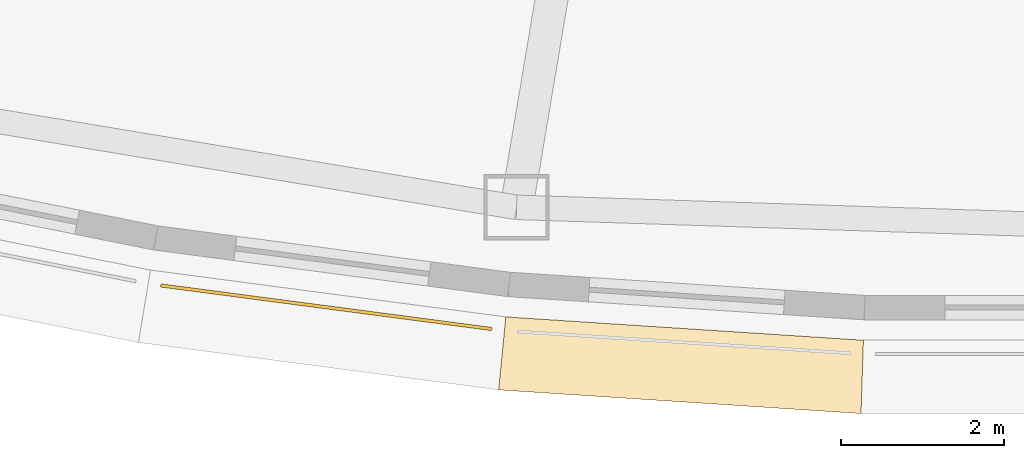
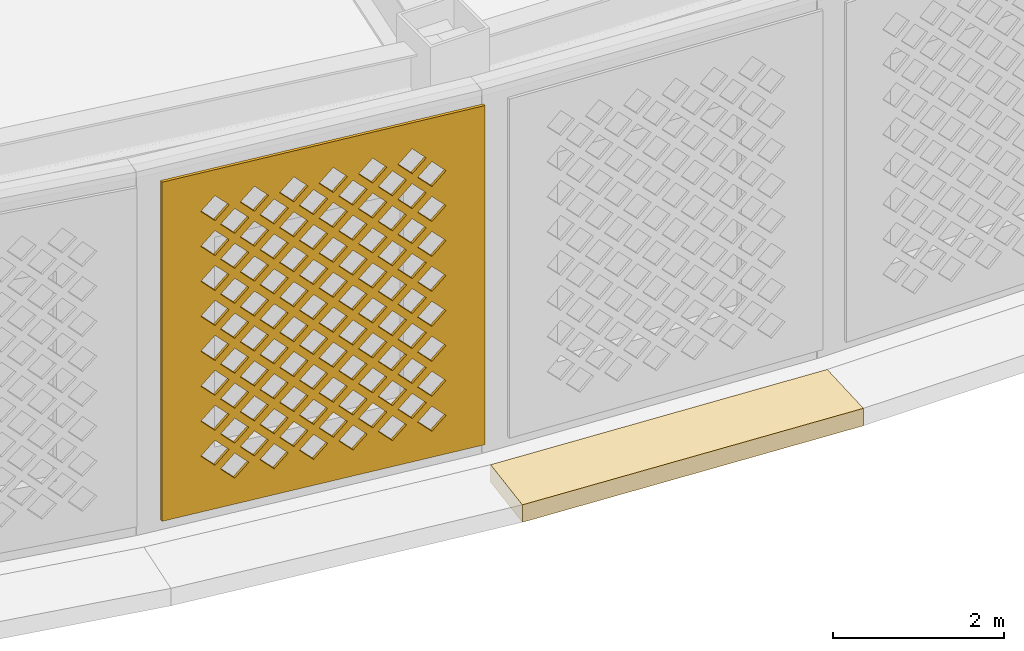
# One storey, part 45 of 63: 2 coverings.
"""IFC4 building model written with IfcOpenShell, lengths in metres."""

import ifcopenshell
import ifcopenshell.guid

model = None  # the IFC model being written
_history = None  # IfcOwnerHistory: only IFC2X3 demands one
_inside = {}  # id of a spatial element -> (the spatial element, [elements in it])
_under = {}  # id of a project, library or spatial element -> (it, [spatial elements below it])
_declared = {}  # id of a project -> (the project, [libraries it declares])
_typed = {}  # id of a type object -> (the type object, [elements of that type])
_made_of = {}  # id of a material, layer set ... -> (it, [elements and type objects made of it])


def new_model(schema):
    """Start an empty IFC model of exactly this schema.

    Asked for "IFC4X3", IfcOpenShell would pick the latest addendum, in which some entities
    have other attributes; the version numbers below select the first issue.
    IFC2X3 requires an IfcOwnerHistory on every rooted entity: one is made here for all.
    """
    global model, _history
    if schema == "IFC4X3":
        model = ifcopenshell.file(schema_version=(4, 3, 0, 0))
    else:
        model = ifcopenshell.file(schema=schema)
    _inside.clear()
    _under.clear()
    _declared.clear()
    _typed.clear()
    _made_of.clear()
    _history = None
    if model.schema == "IFC2X3":
        org = make("IfcOrganization", Name="unknown")
        user = make(
            "IfcPersonAndOrganization",
            ThePerson=make("IfcPerson", FamilyName="unknown"),
            TheOrganization=org,
        )
        app = make(
            "IfcApplication",
            ApplicationDeveloper=org,
            Version="unknown",
            ApplicationFullName="unknown",
            ApplicationIdentifier="unknown",
        )
        _history = make(
            "IfcOwnerHistory",
            OwningUser=user,
            OwningApplication=app,
            ChangeAction="ADDED",
            CreationDate=0,
        )
    return model


def make(cls, **values):
    """One entity of the class cls with the attributes given. An attribute that is None is left unset."""
    return model.create_entity(
        cls, **{name: value for name, value in values.items() if value is not None}
    )


def rooted(cls, **values):
    """An entity with a GlobalId (a new one), such as an element, a storey or a relation."""
    return make(cls, GlobalId=ifcopenshell.guid.new(), OwnerHistory=_history, **values)


def si_unit(unit_type, name, prefix=None):
    """IfcSIUnit, for example si_unit("LENGTHUNIT", "METRE", prefix="MILLI")."""
    return make("IfcSIUnit", UnitType=unit_type, Prefix=prefix, Name=name)


def assignment(units):
    """IfcUnitAssignment: the units of a project."""
    return None if units is None else make("IfcUnitAssignment", Units=units)


def point(xyz):
    """IfcCartesianPoint."""
    return None if xyz is None else make("IfcCartesianPoint", Coordinates=xyz)


def direction(xyz):
    """IfcDirection."""
    return None if xyz is None else make("IfcDirection", DirectionRatios=xyz)


def frame(location, z_axis=None, x_axis=None):
    """IfcAxis2Placement3D, a coordinate frame: its origin and axes. An axis left out is left unset."""
    return make(
        "IfcAxis2Placement3D",
        Location=point(location),
        Axis=direction(z_axis),
        RefDirection=direction(x_axis),
    )


def origin():
    """The frame at (0, 0, 0) with its axes left unset."""
    return frame((0.0, 0.0, 0.0))


def place(relative_to, where):
    """IfcLocalPlacement: puts the frame where relative to a parent placement (None: the world)."""
    return make(
        "IfcLocalPlacement", PlacementRelTo=relative_to, RelativePlacement=where
    )


def context(
    kind, dimensions, precision=None, world=None, true_north=None, identifier=None
):
    """IfcGeometricRepresentationContext, for example the 3D "Model" context."""
    return make(
        "IfcGeometricRepresentationContext",
        ContextIdentifier=identifier,
        ContextType=kind,
        CoordinateSpaceDimension=dimensions,
        Precision=precision,
        WorldCoordinateSystem=world,
        TrueNorth=true_north,
    )


def subcontext(parent, identifier, kind, view, scale=None):
    """IfcGeometricRepresentationSubContext, for example "Body" below "Model"."""
    return make(
        "IfcGeometricRepresentationSubContext",
        ContextIdentifier=identifier,
        ContextType=kind,
        ParentContext=parent,
        TargetScale=scale,
        TargetView=view,
    )


def project(units=None, contexts=None):
    """IfcProject with its units and contexts."""
    return rooted(
        "IfcProject",
        Name="project",
        RepresentationContexts=contexts,
        UnitsInContext=assignment(units),
    )


def spatial(cls, under=None, at=None, **own):
    """A site, building, storey or space (cls), placed at a placement, below another one or the project."""
    s = rooted(cls, ObjectPlacement=at, **own)
    if under is not None:
        _under.setdefault(under.id(), (under, []))[1].append(s)
    return s


def polyline(points):
    """IfcPolyline through the points."""
    return make("IfcPolyline", Points=[point(p) for p in points])


def outline(outer, holes=None, kind="AREA"):
    """IfcArbitraryClosedProfileDef: a profile drawn as a closed curve; with holes, ...WithVoids."""
    if holes is None:
        return make("IfcArbitraryClosedProfileDef", ProfileType=kind, OuterCurve=outer)
    return make(
        "IfcArbitraryProfileDefWithVoids",
        ProfileType=kind,
        OuterCurve=outer,
        InnerCurves=holes,
    )


def extrude(swept, where, along, depth):
    """IfcExtrudedAreaSolid: the profile swept, set in the frame where, extruded along a direction by depth."""
    return make(
        "IfcExtrudedAreaSolid",
        SweptArea=swept,
        Position=where,
        ExtrudedDirection=direction(along),
        Depth=depth,
    )


def shape(context_of_items, identifier, shape_type, items):
    """IfcShapeRepresentation: the items that make up one representation, for example the "Body"."""
    return make(
        "IfcShapeRepresentation",
        ContextOfItems=context_of_items,
        RepresentationIdentifier=identifier,
        RepresentationType=shape_type,
        Items=items,
    )


def material(Name=None, Category=None):
    """IfcMaterial."""
    return make("IfcMaterial", Name=Name, Category=Category)


def layer(
    of_material, thickness, ventilated=None, Name=None, Category=None, Priority=None
):
    """IfcMaterialLayer: one layer of a wall or slab, of a material (None: an air gap)."""
    return make(
        "IfcMaterialLayer",
        Material=of_material,
        LayerThickness=thickness,
        IsVentilated=ventilated,
        Name=Name,
        Category=Category,
        Priority=Priority,
    )


def layer_set(layers, Name=None):
    """IfcMaterialLayerSet."""
    return make("IfcMaterialLayerSet", MaterialLayers=layers, LayerSetName=Name)


def made_of(thing, what):
    """Note that an element or type object is made of a material, layer set ...; save() writes the relation."""
    if what is not None:
        _made_of.setdefault(what.id(), (what, []))[1].append(thing)
    return thing


def type_object(cls, material=None, **own):
    """A type object (cls), such as IfcWallType, which elements share."""
    return made_of(rooted(cls, **own), material)


def element(
    cls,
    number,
    at=None,
    inside=None,
    cuts=None,
    type_object=None,
    material=None,
    context=None,
    identifier="Body",
    shape_type=None,
    held_by="IfcProductDefinitionShape",
    body=None,
    shapes=None,
    **own,
):
    """One element of the class cls, such as IfcWall. Its Tag is "e" and its number.

    at: its placement. inside: the storey or other place that contains it. cuts: it is an
    opening in that element (IfcRelVoidsElement). A single representation is given by context,
    identifier, shape_type and body (its items); several are given by shapes. held_by: the class
    of the entity that holds the representations. save() writes the other relations.
    """
    e = rooted(cls, Tag="e%d" % number, ObjectPlacement=at, **own)
    if body is not None:
        shapes = [shape(context, identifier, shape_type, body)]
    if shapes is not None:
        e.Representation = make(held_by, Representations=shapes)
    if inside is not None:
        _inside.setdefault(inside.id(), (inside, []))[1].append(e)
    if cuts is not None:
        rooted(
            "IfcRelVoidsElement", RelatingBuildingElement=cuts, RelatedOpeningElement=e
        )
    if type_object is not None:
        _typed.setdefault(type_object.id(), (type_object, []))[1].append(e)
    return made_of(e, material)


def aggregate(whole, parts):
    """IfcRelAggregates: a whole, such as a stair, and the parts it consists of."""
    return rooted("IfcRelAggregates", RelatingObject=whole, RelatedObjects=parts)


def save(model, path):
    """Write the relations noted so far, then the file.

    IfcRelAggregates (storeys below a building ...), IfcRelContainedInSpatialStructure (elements
    in a storey), IfcRelDefinesByType, IfcRelAssociatesMaterial and IfcRelDeclares: one each for
    every whole, place, type object, material and project.
    """
    for whole, parts in _under.values():
        aggregate(whole, parts)
    for where, things in _inside.values():
        rooted(
            "IfcRelContainedInSpatialStructure",
            RelatedElements=things,
            RelatingStructure=where,
        )
    for kind, things in _typed.values():
        rooted("IfcRelDefinesByType", RelatedObjects=things, RelatingType=kind)
    for what, things in _made_of.values():
        rooted("IfcRelAssociatesMaterial", RelatedObjects=things, RelatingMaterial=what)
    for by, libraries in _declared.values():
        rooted("IfcRelDeclares", RelatingContext=by, RelatedDefinitions=libraries)
    model.write(path)


model = new_model("IFC4")

# Units and contexts
model_context = context("Model", 3, precision=1e-05, world=origin(), true_north=direction((0.0, 1.0)))
body_context = subcontext(model_context, "Body", "Model", "MODEL_VIEW")
ifc_project = project(units=[si_unit("LENGTHUNIT", "METRE"), si_unit("AREAUNIT", "SQUARE_METRE"), si_unit("VOLUMEUNIT", "CUBIC_METRE"), si_unit("PLANEANGLEUNIT", "RADIAN"), si_unit("MASSUNIT", "GRAM", prefix="KILO")], contexts=[model_context])

# Site, building, storey
site_placement = place(None, origin())
site = spatial("IfcSite", under=ifc_project, at=site_placement, CompositionType="ELEMENT")
building_placement = place(site_placement, origin())
building = spatial("IfcBuilding", under=site, at=building_placement, Name="Noorbagh Ring Tower", CompositionType="ELEMENT")
storey_placement = place(building_placement, frame((0.0, 0.0, 25.0)))
storey = spatial("IfcBuildingStorey", under=building, at=storey_placement, Name="L04", CompositionType="ELEMENT", Elevation=25.0)

# Coverings
ifc_material_1 = material(Name="Red sandstone eave", Category="masonry")
covering_type_1 = type_object("IfcCoveringType", Name="STY-CHHAJJA", PredefinedType="USERDEFINED", material=ifc_material_1)
covering_1_placement = place(storey_placement, frame((0.0, 0.0, -0.25)))
element("IfcCovering", 1, at=covering_1_placement, inside=storey, type_object=covering_type_1, Name="Chhajja eave", ObjectType="CHHAJJA", PredefinedType="USERDEFINED", context=body_context, shape_type="SweptSolid", body=[
    extrude(outline(polyline([(-6.586181640625, -39.677978515625), (-2.198486328125, -39.964111328125), (-2.227783203125, -40.8642578125), (-6.67431640625, -40.573974609375), (-6.586181640625, -39.677978515625)])), origin(), (0.0, 0.0, 1.0), 0.25),
])
ifc_material_2 = material(Name="Red sandstone jali", Category="masonry")
ifc_layer = layer(ifc_material_2, 0.0400390625)
ifc_layer_set = layer_set([ifc_layer], Name="Red sandstone jali")
covering_type_2 = type_object("IfcCoveringType", Name="STY-JALI", PredefinedType="USERDEFINED", material=ifc_layer_set)
covering_2_placement = place(storey_placement, frame((-10.82177734375, -39.311767578125, 0.449951171875), z_axis=(-0.130559329934, -0.991440498148, 0.0), x_axis=(0.991440498148, -0.130559329934, 0.0)))
element("IfcCovering", 2, at=covering_2_placement, inside=storey, type_object=covering_type_2, Name="Jali screen", ObjectType="SCREEN", PredefinedType="USERDEFINED", context=body_context, shape_type="SweptSolid", body=[
    extrude(outline(polyline([(0.0, 0.0), (4.09716796875, 0.0), (4.09716796875, 4.85009765625), (0.0, 4.85009765625), (0.0, 0.0)]), holes=[polyline([(0.743408203125, 0.550048828125), (0.923583984375, 0.3701171875), (1.103515625, 0.550048828125), (0.923583984375, 0.72998046875), (0.743408203125, 0.550048828125)]), polyline([(1.243408203125, 0.550048828125), (1.423583984375, 0.3701171875), (1.603515625, 0.550048828125), (1.423583984375, 0.72998046875), (1.243408203125, 0.550048828125)]), polyline([(1.743408203125, 0.550048828125), (1.923583984375, 0.3701171875), (2.103515625, 0.550048828125), (1.923583984375, 0.72998046875), (1.743408203125, 0.550048828125)]), polyline([(2.243408203125, 0.550048828125), (2.423583984375, 0.3701171875), (2.603515625, 0.550048828125), (2.423583984375, 0.72998046875), (2.243408203125, 0.550048828125)]), polyline([(2.743408203125, 0.550048828125), (2.923583984375, 0.3701171875), (3.103515625, 0.550048828125), (2.923583984375, 0.72998046875), (2.743408203125, 0.550048828125)]), polyline([(3.243408203125, 0.550048828125), (3.423583984375, 0.3701171875), (3.603515625, 0.550048828125), (3.423583984375, 0.72998046875), (3.243408203125, 0.550048828125)]), polyline([(0.493408203125, 0.800048828125), (0.673583984375, 0.6201171875), (0.853515625, 0.800048828125), (0.673583984375, 0.97998046875), (0.493408203125, 0.800048828125)]), polyline([(0.993408203125, 0.800048828125), (1.173583984375, 0.6201171875), (1.353515625, 0.800048828125), (1.173583984375, 0.97998046875), (0.993408203125, 0.800048828125)]), polyline([(1.493408203125, 0.800048828125), (1.673583984375, 0.6201171875), (1.853515625, 0.800048828125), (1.673583984375, 0.97998046875), (1.493408203125, 0.800048828125)]), polyline([(1.993408203125, 0.800048828125), (2.173583984375, 0.6201171875), (2.353515625, 0.800048828125), (2.173583984375, 0.97998046875), (1.993408203125, 0.800048828125)]), polyline([(2.493408203125, 0.800048828125), (2.673583984375, 0.6201171875), (2.853515625, 0.800048828125), (2.673583984375, 0.97998046875), (2.493408203125, 0.800048828125)]), polyline([(2.993408203125, 0.800048828125), (3.173583984375, 0.6201171875), (3.353515625, 0.800048828125), (3.173583984375, 0.97998046875), (2.993408203125, 0.800048828125)]), polyline([(0.743408203125, 1.050048828125), (0.923583984375, 0.8701171875), (1.103515625, 1.050048828125), (0.923583984375, 1.22998046875), (0.743408203125, 1.050048828125)]), polyline([(1.243408203125, 1.050048828125), (1.423583984375, 0.8701171875), (1.603515625, 1.050048828125), (1.423583984375, 1.22998046875), (1.243408203125, 1.050048828125)]), polyline([(1.743408203125, 1.050048828125), (1.923583984375, 0.8701171875), (2.103515625, 1.050048828125), (1.923583984375, 1.22998046875), (1.743408203125, 1.050048828125)]), polyline([(2.243408203125, 1.050048828125), (2.423583984375, 0.8701171875), (2.603515625, 1.050048828125), (2.423583984375, 1.22998046875), (2.243408203125, 1.050048828125)]), polyline([(2.743408203125, 1.050048828125), (2.923583984375, 0.8701171875), (3.103515625, 1.050048828125), (2.923583984375, 1.22998046875), (2.743408203125, 1.050048828125)]), polyline([(3.243408203125, 1.050048828125), (3.423583984375, 0.8701171875), (3.603515625, 1.050048828125), (3.423583984375, 1.22998046875), (3.243408203125, 1.050048828125)]), polyline([(0.493408203125, 1.300048828125), (0.673583984375, 1.1201171875), (0.853515625, 1.300048828125), (0.673583984375, 1.47998046875), (0.493408203125, 1.300048828125)]), polyline([(0.993408203125, 1.300048828125), (1.173583984375, 1.1201171875), (1.353515625, 1.300048828125), (1.173583984375, 1.47998046875), (0.993408203125, 1.300048828125)]), polyline([(1.493408203125, 1.300048828125), (1.673583984375, 1.1201171875), (1.853515625, 1.300048828125), (1.673583984375, 1.47998046875), (1.493408203125, 1.300048828125)]), polyline([(1.993408203125, 1.300048828125), (2.173583984375, 1.1201171875), (2.353515625, 1.300048828125), (2.173583984375, 1.47998046875), (1.993408203125, 1.300048828125)]), polyline([(2.493408203125, 1.300048828125), (2.673583984375, 1.1201171875), (2.853515625, 1.300048828125), (2.673583984375, 1.47998046875), (2.493408203125, 1.300048828125)]), polyline([(2.993408203125, 1.300048828125), (3.173583984375, 1.1201171875), (3.353515625, 1.300048828125), (3.173583984375, 1.47998046875), (2.993408203125, 1.300048828125)]), polyline([(0.743408203125, 1.550048828125), (0.923583984375, 1.3701171875), (1.103515625, 1.550048828125), (0.923583984375, 1.72998046875), (0.743408203125, 1.550048828125)]), polyline([(1.243408203125, 1.550048828125), (1.423583984375, 1.3701171875), (1.603515625, 1.550048828125), (1.423583984375, 1.72998046875), (1.243408203125, 1.550048828125)]), polyline([(1.743408203125, 1.550048828125), (1.923583984375, 1.3701171875), (2.103515625, 1.550048828125), (1.923583984375, 1.72998046875), (1.743408203125, 1.550048828125)]), polyline([(2.243408203125, 1.550048828125), (2.423583984375, 1.3701171875), (2.603515625, 1.550048828125), (2.423583984375, 1.72998046875), (2.243408203125, 1.550048828125)]), polyline([(2.743408203125, 1.550048828125), (2.923583984375, 1.3701171875), (3.103515625, 1.550048828125), (2.923583984375, 1.72998046875), (2.743408203125, 1.550048828125)]), polyline([(3.243408203125, 1.550048828125), (3.423583984375, 1.3701171875), (3.603515625, 1.550048828125), (3.423583984375, 1.72998046875), (3.243408203125, 1.550048828125)]), polyline([(0.493408203125, 1.800048828125), (0.673583984375, 1.6201171875), (0.853515625, 1.800048828125), (0.673583984375, 1.97998046875), (0.493408203125, 1.800048828125)]), polyline([(0.993408203125, 1.800048828125), (1.173583984375, 1.6201171875), (1.353515625, 1.800048828125), (1.173583984375, 1.97998046875), (0.993408203125, 1.800048828125)]), polyline([(1.493408203125, 1.800048828125), (1.673583984375, 1.6201171875), (1.853515625, 1.800048828125), (1.673583984375, 1.97998046875), (1.493408203125, 1.800048828125)]), polyline([(1.993408203125, 1.800048828125), (2.173583984375, 1.6201171875), (2.353515625, 1.800048828125), (2.173583984375, 1.97998046875), (1.993408203125, 1.800048828125)]), polyline([(2.493408203125, 1.800048828125), (2.673583984375, 1.6201171875), (2.853515625, 1.800048828125), (2.673583984375, 1.97998046875), (2.493408203125, 1.800048828125)]), polyline([(2.993408203125, 1.800048828125), (3.173583984375, 1.6201171875), (3.353515625, 1.800048828125), (3.173583984375, 1.97998046875), (2.993408203125, 1.800048828125)]), polyline([(0.743408203125, 2.050048828125), (0.923583984375, 1.8701171875), (1.103515625, 2.050048828125), (0.923583984375, 2.22998046875), (0.743408203125, 2.050048828125)]), polyline([(1.243408203125, 2.050048828125), (1.423583984375, 1.8701171875), (1.603515625, 2.050048828125), (1.423583984375, 2.22998046875), (1.243408203125, 2.050048828125)]), polyline([(1.743408203125, 2.050048828125), (1.923583984375, 1.8701171875), (2.103515625, 2.050048828125), (1.923583984375, 2.22998046875), (1.743408203125, 2.050048828125)]), polyline([(2.243408203125, 2.050048828125), (2.423583984375, 1.8701171875), (2.603515625, 2.050048828125), (2.423583984375, 2.22998046875), (2.243408203125, 2.050048828125)]), polyline([(2.743408203125, 2.050048828125), (2.923583984375, 1.8701171875), (3.103515625, 2.050048828125), (2.923583984375, 2.22998046875), (2.743408203125, 2.050048828125)]), polyline([(3.243408203125, 2.050048828125), (3.423583984375, 1.8701171875), (3.603515625, 2.050048828125), (3.423583984375, 2.22998046875), (3.243408203125, 2.050048828125)]), polyline([(0.493408203125, 2.300048828125), (0.673583984375, 2.1201171875), (0.853515625, 2.300048828125), (0.673583984375, 2.47998046875), (0.493408203125, 2.300048828125)]), polyline([(0.993408203125, 2.300048828125), (1.173583984375, 2.1201171875), (1.353515625, 2.300048828125), (1.173583984375, 2.47998046875), (0.993408203125, 2.300048828125)]), polyline([(1.493408203125, 2.300048828125), (1.673583984375, 2.1201171875), (1.853515625, 2.300048828125), (1.673583984375, 2.47998046875), (1.493408203125, 2.300048828125)]), polyline([(1.993408203125, 2.300048828125), (2.173583984375, 2.1201171875), (2.353515625, 2.300048828125), (2.173583984375, 2.47998046875), (1.993408203125, 2.300048828125)]), polyline([(2.493408203125, 2.300048828125), (2.673583984375, 2.1201171875), (2.853515625, 2.300048828125), (2.673583984375, 2.47998046875), (2.493408203125, 2.300048828125)]), polyline([(2.993408203125, 2.300048828125), (3.173583984375, 2.1201171875), (3.353515625, 2.300048828125), (3.173583984375, 2.47998046875), (2.993408203125, 2.300048828125)]), polyline([(0.743408203125, 2.550048828125), (0.923583984375, 2.3701171875), (1.103515625, 2.550048828125), (0.923583984375, 2.72998046875), (0.743408203125, 2.550048828125)]), polyline([(1.243408203125, 2.550048828125), (1.423583984375, 2.3701171875), (1.603515625, 2.550048828125), (1.423583984375, 2.72998046875), (1.243408203125, 2.550048828125)]), polyline([(1.743408203125, 2.550048828125), (1.923583984375, 2.3701171875), (2.103515625, 2.550048828125), (1.923583984375, 2.72998046875), (1.743408203125, 2.550048828125)]), polyline([(2.243408203125, 2.550048828125), (2.423583984375, 2.3701171875), (2.603515625, 2.550048828125), (2.423583984375, 2.72998046875), (2.243408203125, 2.550048828125)]), polyline([(2.743408203125, 2.550048828125), (2.923583984375, 2.3701171875), (3.103515625, 2.550048828125), (2.923583984375, 2.72998046875), (2.743408203125, 2.550048828125)]), polyline([(3.243408203125, 2.550048828125), (3.423583984375, 2.3701171875), (3.603515625, 2.550048828125), (3.423583984375, 2.72998046875), (3.243408203125, 2.550048828125)]), polyline([(0.493408203125, 2.800048828125), (0.673583984375, 2.6201171875), (0.853515625, 2.800048828125), (0.673583984375, 2.97998046875), (0.493408203125, 2.800048828125)]), polyline([(0.993408203125, 2.800048828125), (1.173583984375, 2.6201171875), (1.353515625, 2.800048828125), (1.173583984375, 2.97998046875), (0.993408203125, 2.800048828125)]), polyline([(1.493408203125, 2.800048828125), (1.673583984375, 2.6201171875), (1.853515625, 2.800048828125), (1.673583984375, 2.97998046875), (1.493408203125, 2.800048828125)]), polyline([(1.993408203125, 2.800048828125), (2.173583984375, 2.6201171875), (2.353515625, 2.800048828125), (2.173583984375, 2.97998046875), (1.993408203125, 2.800048828125)]), polyline([(2.493408203125, 2.800048828125), (2.673583984375, 2.6201171875), (2.853515625, 2.800048828125), (2.673583984375, 2.97998046875), (2.493408203125, 2.800048828125)]), polyline([(2.993408203125, 2.800048828125), (3.173583984375, 2.6201171875), (3.353515625, 2.800048828125), (3.173583984375, 2.97998046875), (2.993408203125, 2.800048828125)]), polyline([(0.743408203125, 3.050048828125), (0.923583984375, 2.8701171875), (1.103515625, 3.050048828125), (0.923583984375, 3.22998046875), (0.743408203125, 3.050048828125)]), polyline([(1.243408203125, 3.050048828125), (1.423583984375, 2.8701171875), (1.603515625, 3.050048828125), (1.423583984375, 3.22998046875), (1.243408203125, 3.050048828125)]), polyline([(1.743408203125, 3.050048828125), (1.923583984375, 2.8701171875), (2.103515625, 3.050048828125), (1.923583984375, 3.22998046875), (1.743408203125, 3.050048828125)]), polyline([(2.243408203125, 3.050048828125), (2.423583984375, 2.8701171875), (2.603515625, 3.050048828125), (2.423583984375, 3.22998046875), (2.243408203125, 3.050048828125)]), polyline([(2.743408203125, 3.050048828125), (2.923583984375, 2.8701171875), (3.103515625, 3.050048828125), (2.923583984375, 3.22998046875), (2.743408203125, 3.050048828125)]), polyline([(3.243408203125, 3.050048828125), (3.423583984375, 2.8701171875), (3.603515625, 3.050048828125), (3.423583984375, 3.22998046875), (3.243408203125, 3.050048828125)]), polyline([(0.493408203125, 3.300048828125), (0.673583984375, 3.1201171875), (0.853515625, 3.300048828125), (0.673583984375, 3.47998046875), (0.493408203125, 3.300048828125)]), polyline([(0.993408203125, 3.300048828125), (1.173583984375, 3.1201171875), (1.353515625, 3.300048828125), (1.173583984375, 3.47998046875), (0.993408203125, 3.300048828125)]), polyline([(1.493408203125, 3.300048828125), (1.673583984375, 3.1201171875), (1.853515625, 3.300048828125), (1.673583984375, 3.47998046875), (1.493408203125, 3.300048828125)]), polyline([(1.993408203125, 3.300048828125), (2.173583984375, 3.1201171875), (2.353515625, 3.300048828125), (2.173583984375, 3.47998046875), (1.993408203125, 3.300048828125)]), polyline([(2.493408203125, 3.300048828125), (2.673583984375, 3.1201171875), (2.853515625, 3.300048828125), (2.673583984375, 3.47998046875), (2.493408203125, 3.300048828125)]), polyline([(2.993408203125, 3.300048828125), (3.173583984375, 3.1201171875), (3.353515625, 3.300048828125), (3.173583984375, 3.47998046875), (2.993408203125, 3.300048828125)]), polyline([(0.743408203125, 3.550048828125), (0.923583984375, 3.3701171875), (1.103515625, 3.550048828125), (0.923583984375, 3.72998046875), (0.743408203125, 3.550048828125)]), polyline([(1.243408203125, 3.550048828125), (1.423583984375, 3.3701171875), (1.603515625, 3.550048828125), (1.423583984375, 3.72998046875), (1.243408203125, 3.550048828125)]), polyline([(1.743408203125, 3.550048828125), (1.923583984375, 3.3701171875), (2.103515625, 3.550048828125), (1.923583984375, 3.72998046875), (1.743408203125, 3.550048828125)]), polyline([(2.243408203125, 3.550048828125), (2.423583984375, 3.3701171875), (2.603515625, 3.550048828125), (2.423583984375, 3.72998046875), (2.243408203125, 3.550048828125)]), polyline([(2.743408203125, 3.550048828125), (2.923583984375, 3.3701171875), (3.103515625, 3.550048828125), (2.923583984375, 3.72998046875), (2.743408203125, 3.550048828125)]), polyline([(3.243408203125, 3.550048828125), (3.423583984375, 3.3701171875), (3.603515625, 3.550048828125), (3.423583984375, 3.72998046875), (3.243408203125, 3.550048828125)]), polyline([(0.493408203125, 3.800048828125), (0.673583984375, 3.6201171875), (0.853515625, 3.800048828125), (0.673583984375, 3.97998046875), (0.493408203125, 3.800048828125)]), polyline([(0.993408203125, 3.800048828125), (1.173583984375, 3.6201171875), (1.353515625, 3.800048828125), (1.173583984375, 3.97998046875), (0.993408203125, 3.800048828125)]), polyline([(1.493408203125, 3.800048828125), (1.673583984375, 3.6201171875), (1.853515625, 3.800048828125), (1.673583984375, 3.97998046875), (1.493408203125, 3.800048828125)]), polyline([(1.993408203125, 3.800048828125), (2.173583984375, 3.6201171875), (2.353515625, 3.800048828125), (2.173583984375, 3.97998046875), (1.993408203125, 3.800048828125)]), polyline([(2.493408203125, 3.800048828125), (2.673583984375, 3.6201171875), (2.853515625, 3.800048828125), (2.673583984375, 3.97998046875), (2.493408203125, 3.800048828125)]), polyline([(2.993408203125, 3.800048828125), (3.173583984375, 3.6201171875), (3.353515625, 3.800048828125), (3.173583984375, 3.97998046875), (2.993408203125, 3.800048828125)]), polyline([(0.743408203125, 4.050048828125), (0.923583984375, 3.8701171875), (1.103515625, 4.050048828125), (0.923583984375, 4.22998046875), (0.743408203125, 4.050048828125)]), polyline([(1.243408203125, 4.050048828125), (1.423583984375, 3.8701171875), (1.603515625, 4.050048828125), (1.423583984375, 4.22998046875), (1.243408203125, 4.050048828125)]), polyline([(1.743408203125, 4.050048828125), (1.923583984375, 3.8701171875), (2.103515625, 4.050048828125), (1.923583984375, 4.22998046875), (1.743408203125, 4.050048828125)]), polyline([(2.243408203125, 4.050048828125), (2.423583984375, 3.8701171875), (2.603515625, 4.050048828125), (2.423583984375, 4.22998046875), (2.243408203125, 4.050048828125)]), polyline([(2.743408203125, 4.050048828125), (2.923583984375, 3.8701171875), (3.103515625, 4.050048828125), (2.923583984375, 4.22998046875), (2.743408203125, 4.050048828125)]), polyline([(3.243408203125, 4.050048828125), (3.423583984375, 3.8701171875), (3.603515625, 4.050048828125), (3.423583984375, 4.22998046875), (3.243408203125, 4.050048828125)]), polyline([(0.493408203125, 4.300048828125), (0.673583984375, 4.1201171875), (0.853515625, 4.300048828125), (0.673583984375, 4.47998046875), (0.493408203125, 4.300048828125)]), polyline([(0.993408203125, 4.300048828125), (1.173583984375, 4.1201171875), (1.353515625, 4.300048828125), (1.173583984375, 4.47998046875), (0.993408203125, 4.300048828125)]), polyline([(1.493408203125, 4.300048828125), (1.673583984375, 4.1201171875), (1.853515625, 4.300048828125), (1.673583984375, 4.47998046875), (1.493408203125, 4.300048828125)]), polyline([(1.993408203125, 4.300048828125), (2.173583984375, 4.1201171875), (2.353515625, 4.300048828125), (2.173583984375, 4.47998046875), (1.993408203125, 4.300048828125)]), polyline([(2.493408203125, 4.300048828125), (2.673583984375, 4.1201171875), (2.853515625, 4.300048828125), (2.673583984375, 4.47998046875), (2.493408203125, 4.300048828125)]), polyline([(2.993408203125, 4.300048828125), (3.173583984375, 4.1201171875), (3.353515625, 4.300048828125), (3.173583984375, 4.47998046875), (2.993408203125, 4.300048828125)])]), origin(), (0.0, 0.0, -1.0), 0.0400390625),
])

save(model, "model.ifc")
